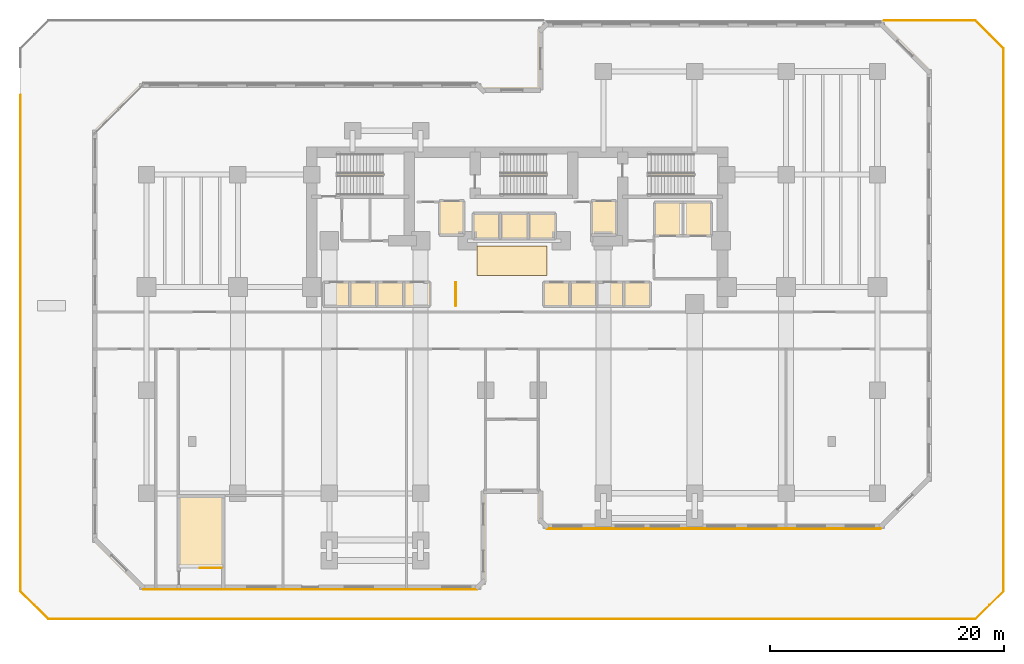
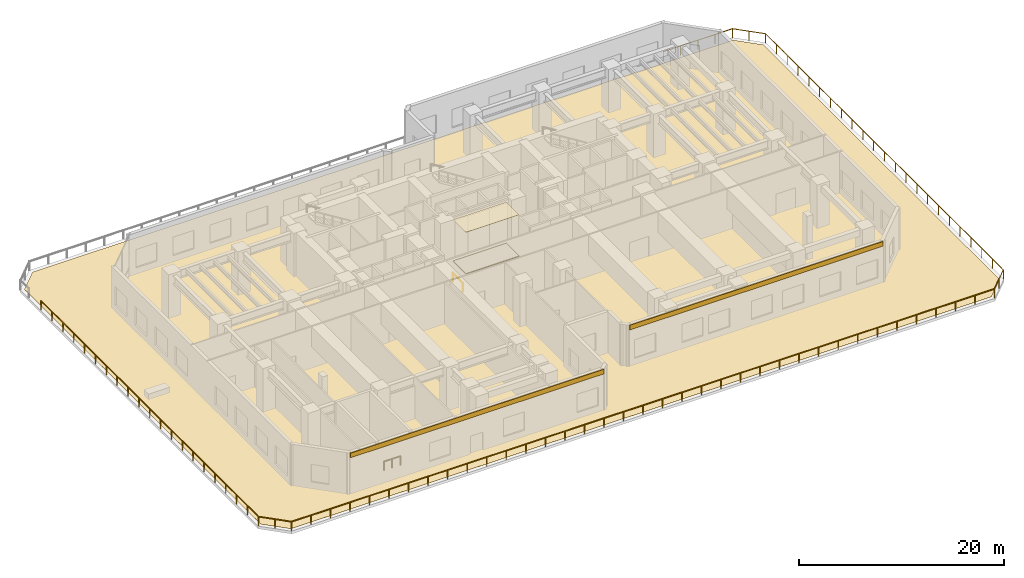
# One storey, part 9 of 13: 5 coverings, 4 railings.
"""IFC4 building model written with IfcOpenShell, lengths in metres."""

import ifcopenshell
import ifcopenshell.guid

model = None  # the IFC model being written
_history = None  # IfcOwnerHistory: only IFC2X3 demands one
_inside = {}  # id of a spatial element -> (the spatial element, [elements in it])
_under = {}  # id of a project, library or spatial element -> (it, [spatial elements below it])
_declared = {}  # id of a project -> (the project, [libraries it declares])
_typed = {}  # id of a type object -> (the type object, [elements of that type])
_made_of = {}  # id of a material, layer set ... -> (it, [elements and type objects made of it])


def new_model(schema):
    """Start an empty IFC model of exactly this schema.

    Asked for "IFC4X3", IfcOpenShell would pick the latest addendum, in which some entities
    have other attributes; the version numbers below select the first issue.
    IFC2X3 requires an IfcOwnerHistory on every rooted entity: one is made here for all.
    """
    global model, _history
    if schema == "IFC4X3":
        model = ifcopenshell.file(schema_version=(4, 3, 0, 0))
    else:
        model = ifcopenshell.file(schema=schema)
    _inside.clear()
    _under.clear()
    _declared.clear()
    _typed.clear()
    _made_of.clear()
    _history = None
    if model.schema == "IFC2X3":
        org = make("IfcOrganization", Name="unknown")
        user = make(
            "IfcPersonAndOrganization",
            ThePerson=make("IfcPerson", FamilyName="unknown"),
            TheOrganization=org,
        )
        app = make(
            "IfcApplication",
            ApplicationDeveloper=org,
            Version="unknown",
            ApplicationFullName="unknown",
            ApplicationIdentifier="unknown",
        )
        _history = make(
            "IfcOwnerHistory",
            OwningUser=user,
            OwningApplication=app,
            ChangeAction="ADDED",
            CreationDate=0,
        )
    return model


def make(cls, **values):
    """One entity of the class cls with the attributes given. An attribute that is None is left unset."""
    return model.create_entity(
        cls, **{name: value for name, value in values.items() if value is not None}
    )


def rooted(cls, **values):
    """An entity with a GlobalId (a new one), such as an element, a storey or a relation."""
    return make(cls, GlobalId=ifcopenshell.guid.new(), OwnerHistory=_history, **values)


def si_unit(unit_type, name, prefix=None):
    """IfcSIUnit, for example si_unit("LENGTHUNIT", "METRE", prefix="MILLI")."""
    return make("IfcSIUnit", UnitType=unit_type, Prefix=prefix, Name=name)


def assignment(units):
    """IfcUnitAssignment: the units of a project."""
    return None if units is None else make("IfcUnitAssignment", Units=units)


def point(xyz):
    """IfcCartesianPoint."""
    return None if xyz is None else make("IfcCartesianPoint", Coordinates=xyz)


def direction(xyz):
    """IfcDirection."""
    return None if xyz is None else make("IfcDirection", DirectionRatios=xyz)


def frame(location, z_axis=None, x_axis=None):
    """IfcAxis2Placement3D, a coordinate frame: its origin and axes. An axis left out is left unset."""
    return make(
        "IfcAxis2Placement3D",
        Location=point(location),
        Axis=direction(z_axis),
        RefDirection=direction(x_axis),
    )


def frame_2d(location, x_axis=None):
    """IfcAxis2Placement2D, a coordinate frame in the plane: its origin and x axis."""
    return make(
        "IfcAxis2Placement2D", Location=point(location), RefDirection=direction(x_axis)
    )


def origin():
    """The frame at (0, 0, 0) with its axes left unset."""
    return frame((0.0, 0.0, 0.0))


def origin_2d():
    """The frame at (0, 0) in the plane with its x axis left unset."""
    return frame_2d((0.0, 0.0))


def place(relative_to, where):
    """IfcLocalPlacement: puts the frame where relative to a parent placement (None: the world)."""
    return make(
        "IfcLocalPlacement", PlacementRelTo=relative_to, RelativePlacement=where
    )


def context(
    kind, dimensions, precision=None, world=None, true_north=None, identifier=None
):
    """IfcGeometricRepresentationContext, for example the 3D "Model" context."""
    return make(
        "IfcGeometricRepresentationContext",
        ContextIdentifier=identifier,
        ContextType=kind,
        CoordinateSpaceDimension=dimensions,
        Precision=precision,
        WorldCoordinateSystem=world,
        TrueNorth=true_north,
    )


def subcontext(parent, identifier, kind, view, scale=None):
    """IfcGeometricRepresentationSubContext, for example "Body" below "Model"."""
    return make(
        "IfcGeometricRepresentationSubContext",
        ContextIdentifier=identifier,
        ContextType=kind,
        ParentContext=parent,
        TargetScale=scale,
        TargetView=view,
    )


def project(units=None, contexts=None):
    """IfcProject with its units and contexts."""
    return rooted(
        "IfcProject",
        Name="project",
        RepresentationContexts=contexts,
        UnitsInContext=assignment(units),
    )


def spatial(cls, under=None, at=None, **own):
    """A site, building, storey or space (cls), placed at a placement, below another one or the project."""
    s = rooted(cls, ObjectPlacement=at, **own)
    if under is not None:
        _under.setdefault(under.id(), (under, []))[1].append(s)
    return s


def polyline(points):
    """IfcPolyline through the points."""
    return make("IfcPolyline", Points=[point(p) for p in points])


def profile(cls, at=None, kind="AREA", **sizes):
    """A parametric profile (cls). Its sizes go by their IFC names, for example OverallWidth=200.0."""
    return make(cls, ProfileType=kind, Position=at, **sizes)


def rectangle(**sizes):
    """IfcRectangleProfileDef."""
    return profile("IfcRectangleProfileDef", **sizes)


def circle(**sizes):
    """IfcCircleProfileDef."""
    return profile("IfcCircleProfileDef", **sizes)


def outline(outer, holes=None, kind="AREA"):
    """IfcArbitraryClosedProfileDef: a profile drawn as a closed curve; with holes, ...WithVoids."""
    if holes is None:
        return make("IfcArbitraryClosedProfileDef", ProfileType=kind, OuterCurve=outer)
    return make(
        "IfcArbitraryProfileDefWithVoids",
        ProfileType=kind,
        OuterCurve=outer,
        InnerCurves=holes,
    )


def extrude(swept, where, along, depth):
    """IfcExtrudedAreaSolid: the profile swept, set in the frame where, extruded along a direction by depth."""
    return make(
        "IfcExtrudedAreaSolid",
        SweptArea=swept,
        Position=where,
        ExtrudedDirection=direction(along),
        Depth=depth,
    )


def shape(context_of_items, identifier, shape_type, items):
    """IfcShapeRepresentation: the items that make up one representation, for example the "Body"."""
    return make(
        "IfcShapeRepresentation",
        ContextOfItems=context_of_items,
        RepresentationIdentifier=identifier,
        RepresentationType=shape_type,
        Items=items,
    )


def material(Name=None, Category=None):
    """IfcMaterial."""
    return make("IfcMaterial", Name=Name, Category=Category)


def layer(
    of_material, thickness, ventilated=None, Name=None, Category=None, Priority=None
):
    """IfcMaterialLayer: one layer of a wall or slab, of a material (None: an air gap)."""
    return make(
        "IfcMaterialLayer",
        Material=of_material,
        LayerThickness=thickness,
        IsVentilated=ventilated,
        Name=Name,
        Category=Category,
        Priority=Priority,
    )


def layer_set(layers, Name=None):
    """IfcMaterialLayerSet."""
    return make("IfcMaterialLayerSet", MaterialLayers=layers, LayerSetName=Name)


def made_of(thing, what):
    """Note that an element or type object is made of a material, layer set ...; save() writes the relation."""
    if what is not None:
        _made_of.setdefault(what.id(), (what, []))[1].append(thing)
    return thing


def type_object(cls, material=None, **own):
    """A type object (cls), such as IfcWallType, which elements share."""
    return made_of(rooted(cls, **own), material)


def element(
    cls,
    number,
    at=None,
    inside=None,
    cuts=None,
    type_object=None,
    material=None,
    context=None,
    identifier="Body",
    shape_type=None,
    held_by="IfcProductDefinitionShape",
    body=None,
    shapes=None,
    **own,
):
    """One element of the class cls, such as IfcWall. Its Tag is "e" and its number.

    at: its placement. inside: the storey or other place that contains it. cuts: it is an
    opening in that element (IfcRelVoidsElement). A single representation is given by context,
    identifier, shape_type and body (its items); several are given by shapes. held_by: the class
    of the entity that holds the representations. save() writes the other relations.
    """
    e = rooted(cls, Tag="e%d" % number, ObjectPlacement=at, **own)
    if body is not None:
        shapes = [shape(context, identifier, shape_type, body)]
    if shapes is not None:
        e.Representation = make(held_by, Representations=shapes)
    if inside is not None:
        _inside.setdefault(inside.id(), (inside, []))[1].append(e)
    if cuts is not None:
        rooted(
            "IfcRelVoidsElement", RelatingBuildingElement=cuts, RelatedOpeningElement=e
        )
    if type_object is not None:
        _typed.setdefault(type_object.id(), (type_object, []))[1].append(e)
    return made_of(e, material)


def aggregate(whole, parts):
    """IfcRelAggregates: a whole, such as a stair, and the parts it consists of."""
    return rooted("IfcRelAggregates", RelatingObject=whole, RelatedObjects=parts)


def save(model, path):
    """Write the relations noted so far, then the file.

    IfcRelAggregates (storeys below a building ...), IfcRelContainedInSpatialStructure (elements
    in a storey), IfcRelDefinesByType, IfcRelAssociatesMaterial and IfcRelDeclares: one each for
    every whole, place, type object, material and project.
    """
    for whole, parts in _under.values():
        aggregate(whole, parts)
    for where, things in _inside.values():
        rooted(
            "IfcRelContainedInSpatialStructure",
            RelatedElements=things,
            RelatingStructure=where,
        )
    for kind, things in _typed.values():
        rooted("IfcRelDefinesByType", RelatedObjects=things, RelatingType=kind)
    for what, things in _made_of.values():
        rooted("IfcRelAssociatesMaterial", RelatedObjects=things, RelatingMaterial=what)
    for by, libraries in _declared.values():
        rooted("IfcRelDeclares", RelatingContext=by, RelatedDefinitions=libraries)
    model.write(path)


model = new_model("IFC4")

# Units and contexts
model_context = context("Model", 3, precision=1e-05, world=origin(), true_north=direction((0.0, 1.0)))
body_context = subcontext(model_context, "Body", "Model", "MODEL_VIEW")
ifc_project = project(units=[si_unit("LENGTHUNIT", "METRE"), si_unit("AREAUNIT", "SQUARE_METRE"), si_unit("VOLUMEUNIT", "CUBIC_METRE"), si_unit("PLANEANGLEUNIT", "RADIAN"), si_unit("MASSUNIT", "GRAM", prefix="KILO")], contexts=[model_context])

# Site, building, storey
site_placement = place(None, origin())
site = spatial("IfcSite", under=ifc_project, at=site_placement, CompositionType="ELEMENT")
building_placement = place(site_placement, origin())
building = spatial("IfcBuilding", under=site, at=building_placement, Name="Kestravale Grand Hotel", CompositionType="ELEMENT")
storey_placement = place(building_placement, frame((0.0, 0.0, 20.800048828125)))
storey = spatial("IfcBuildingStorey", under=building, at=storey_placement, Name="L04", CompositionType="ELEMENT", Elevation=20.800048828125)

# Coverings
ifc_material_1 = material(Name="Warm limestone-toned fluted architectural precast cladding", Category="masonry")
ifc_layer_1 = layer(ifc_material_1, 0.074951171875)
ifc_layer_set_1 = layer_set([ifc_layer_1], Name="COV-CLAD-LIM")
covering_type_1 = type_object("IfcCoveringType", Name="COV-CLAD-LIM", PredefinedType="CLADDING", material=ifc_layer_set_1)
for number, where, z_axis, x_axis, name in (
    (1, (21.77490234375, 2.985107421875, 4.36474609375), (0.0, 0.0, 1.0), (1.0, 0.0, 0.0), "L04 fluted limestone spandrel cladding 1"),
    (2, (56.22509765625, 8.18505859375, 4.36474609375), (0.0, 0.0, 1.0), (1.0, 0.0, 0.0), "L04 fluted limestone spandrel cladding 7"),
):
    element("IfcCovering", number, at=place(storey_placement, frame(where, z_axis=z_axis, x_axis=x_axis)), inside=storey, type_object=covering_type_1, Name=name, PredefinedType="CLADDING", context=body_context, shape_type="SweptSolid", body=[
        extrude(rectangle(XDim=28.530029296875, YDim=0.074951171875, at=origin_2d()), origin(), (0.0, 0.0, 1.0), 0.550048828125),
    ])
ifc_material_2 = material(Name="Perforated gypsum and mineral-fibre acoustic ceiling", Category="other")
ifc_layer_2 = layer(ifc_material_2, 0.044921875)
ifc_layer_set_2 = layer_set([ifc_layer_2], Name="COV-INT-CEIL")
covering_type_2 = type_object("IfcCoveringType", Name="COV-INT-CEIL", PredefinedType="CEILING", material=ifc_layer_set_2)
covering_1_placement = place(storey_placement, frame((0.0, 0.0, 4.89501953125)))
element("IfcCovering", 3, at=covering_1_placement, inside=storey, type_object=covering_type_2, Name="L04 elevator lobby acoustic coffered ceiling", PredefinedType="CEILING", context=body_context, shape_type="SweptSolid", body=[
    extrude(outline(polyline([(36.0, 29.800048828125), (42.0, 29.800048828125), (42.0, 32.300048828125), (36.0, 32.300048828125), (36.0, 29.800048828125)])), origin(), (0.0, 0.0, 1.0), 0.044921875),
])
ifc_material_3 = material(Name="Polished Art Deco brass-inlaid terrazzo flooring", Category="masonry")
ifc_layer_3 = layer(ifc_material_3, 0.034912109375)
ifc_layer_set_3 = layer_set([ifc_layer_3], Name="COV-INT-TERZ")
covering_type_3 = type_object("IfcCoveringType", Name="COV-INT-TERZ", PredefinedType="FLOORING", material=ifc_layer_set_3)
covering_2_placement = place(storey_placement, origin())
element("IfcCovering", 4, at=covering_2_placement, inside=storey, type_object=covering_type_3, Name="L04 elevator lobby brass-inlaid terrazzo floor", PredefinedType="FLOORING", context=body_context, shape_type="SweptSolid", body=[
    extrude(outline(polyline([(36.0, 29.800048828125), (42.0, 29.800048828125), (42.0, 32.300048828125), (36.0, 32.300048828125), (36.0, 29.800048828125)])), origin(), (0.0, 0.0, 1.0), 0.034912109375),
])
ifc_material_4 = material(Name="TPO reflective roofing membrane and rigid mineral-wool insulation", Category="other")
ifc_layer_4 = layer(ifc_material_4, 0.1201171875)
ifc_layer_set_4 = layer_set([ifc_layer_4], Name="COV-ROOF-MEM")
covering_type_4 = type_object("IfcCoveringType", Name="COV-ROOF-MEM", PredefinedType="ROOFING", material=ifc_layer_set_4)
covering_3_placement = place(storey_placement, frame((0.0, 0.0, -0.0400390625)))
element("IfcCovering", 5, at=covering_3_placement, inside=storey, type_object=covering_type_4, Name="L04 terrace waterproof membrane assembly", PredefinedType="ROOFING", context=body_context, shape_type="SweptSolid", body=[
    extrude(outline(polyline([(-2.60009765625, 2.9658203125), (-2.60009765625, 49.0341796875), (-0.434326171875, 51.199951171875), (78.434326171875, 51.199951171875), (80.60009765625, 49.0341796875), (80.60009765625, 2.9658203125), (78.434326171875, 0.800048828125), (-0.434326171875, 0.800048828125), (-2.60009765625, 2.9658203125)])), origin(), (0.0, 0.0, 1.0), 0.0400390625),
])

# Railings
ifc_material_5 = material(Name="Champagne-bronze stainless steel and laminated glass guard", Category="steel")
railing_type_1 = type_object("IfcRailingType", Name="RL-EXT-1100", PredefinedType="GUARDRAIL", material=ifc_material_5)
railing_1_placement = place(storey_placement, frame((-2.93994140625, 2.824951171875, 0.0)))
element("IfcRailing", 6, at=railing_1_placement, inside=storey, type_object=railing_type_1, Name="L04 outdoor terrace guard 1", PredefinedType="GUARDRAIL", context=body_context, shape_type="SweptSolid", body=[
    extrude(circle(Radius=0.02392578125, at=origin_2d()), frame((0.0, 0.0, 1.09619140625), z_axis=(0.0, 1.0, 0.0), x_axis=(-1.0, 0.0, 0.0)), (0.0, 0.0, 1.0), 42.35498046875),
    extrude(circle(Radius=0.02099609375, at=origin_2d()), origin(), (0.0, 0.0, 1.0), 1.072021484375),
    extrude(circle(Radius=0.02099609375, at=origin_2d()), frame((0.0, 2.11767578125, 0.0)), (0.0, 0.0, 1.0), 1.072021484375),
    extrude(circle(Radius=0.02099609375, at=origin_2d()), frame((0.0, 4.235595703125, 0.0)), (0.0, 0.0, 1.0), 1.072021484375),
    extrude(circle(Radius=0.02099609375, at=origin_2d()), frame((0.0, 6.353271484375, 0.0)), (0.0, 0.0, 1.0), 1.072021484375),
    extrude(circle(Radius=0.02099609375, at=origin_2d()), frame((0.0, 8.470947265625, 0.0)), (0.0, 0.0, 1.0), 1.072021484375),
    extrude(circle(Radius=0.02099609375, at=origin_2d()), frame((0.0, 10.5888671875, 0.0)), (0.0, 0.0, 1.0), 1.072021484375),
    extrude(circle(Radius=0.02099609375, at=origin_2d()), frame((0.0, 12.70654296875, 0.0)), (0.0, 0.0, 1.0), 1.072021484375),
    extrude(circle(Radius=0.02099609375, at=origin_2d()), frame((0.0, 14.82421875, 0.0)), (0.0, 0.0, 1.0), 1.072021484375),
    extrude(circle(Radius=0.02099609375, at=origin_2d()), frame((0.0, 16.94189453125, 0.0)), (0.0, 0.0, 1.0), 1.072021484375),
    extrude(circle(Radius=0.02099609375, at=origin_2d()), frame((0.0, 19.059814453125, 0.0)), (0.0, 0.0, 1.0), 1.072021484375),
    extrude(circle(Radius=0.02099609375, at=origin_2d()), frame((0.0, 21.177490234375, 0.0)), (0.0, 0.0, 1.0), 1.072021484375),
    extrude(circle(Radius=0.02099609375, at=origin_2d()), frame((0.0, 23.295166015625, 0.0)), (0.0, 0.0, 1.0), 1.072021484375),
    extrude(circle(Radius=0.02099609375, at=origin_2d()), frame((0.0, 25.4130859375, 0.0)), (0.0, 0.0, 1.0), 1.072021484375),
    extrude(circle(Radius=0.02099609375, at=origin_2d()), frame((0.0, 27.53076171875, 0.0)), (0.0, 0.0, 1.0), 1.072021484375),
    extrude(circle(Radius=0.02099609375, at=origin_2d()), frame((0.0, 29.6484375, 0.0)), (0.0, 0.0, 1.0), 1.072021484375),
    extrude(circle(Radius=0.02099609375, at=origin_2d()), frame((0.0, 31.76611328125, 0.0)), (0.0, 0.0, 1.0), 1.072021484375),
    extrude(circle(Radius=0.02099609375, at=origin_2d()), frame((0.0, 33.884033203125, 0.0)), (0.0, 0.0, 1.0), 1.072021484375),
    extrude(circle(Radius=0.02099609375, at=origin_2d()), frame((0.0, 36.001708984375, 0.0)), (0.0, 0.0, 1.0), 1.072021484375),
    extrude(circle(Radius=0.02099609375, at=origin_2d()), frame((0.0, 38.119384765625, 0.0)), (0.0, 0.0, 1.0), 1.072021484375),
    extrude(circle(Radius=0.02099609375, at=origin_2d()), frame((0.0, 40.2373046875, 0.0)), (0.0, 0.0, 1.0), 1.072021484375),
    extrude(circle(Radius=0.02099609375, at=origin_2d()), frame((0.0, 42.35498046875, 0.0)), (0.0, 0.0, 1.0), 1.072021484375),
])
railing_2_placement = place(storey_placement, frame((70.77099609375, 51.5400390625, 0.0)))
element("IfcRailing", 7, at=railing_2_placement, inside=storey, type_object=railing_type_1, Name="L04 outdoor terrace guard 3", PredefinedType="GUARDRAIL", context=body_context, shape_type="SweptSolid", body=[
    extrude(circle(Radius=0.02392578125, at=origin_2d()), frame((0.0, 0.0, 1.09619140625), z_axis=(1.0, 0.0, 0.0), x_axis=(0.0, 1.0, 0.0)), (0.0, 0.0, 1.0), 7.80419921875),
    extrude(circle(Radius=0.02392578125, at=origin_2d()), frame((7.80419921875, 0.0, 1.09619140625), z_axis=(0.707070280643, -0.707143279846, 0.0), x_axis=(0.707143279846, 0.707070280643, 0.0)), (0.0, 0.0, 1.0), 3.344482421875),
    extrude(circle(Radius=0.02392578125, at=origin_2d()), frame((10.1689453125, -2.364990234375, 1.09619140625), z_axis=(0.0, -1.0, 0.0), x_axis=(1.0, 0.0, 0.0)), (0.0, 0.0, 1.0), 46.35009765625),
    extrude(circle(Radius=0.02392578125, at=origin_2d()), frame((10.1689453125, -48.715087890625, 1.09619140625), z_axis=(-0.707070280643, -0.707143279846, 0.0), x_axis=(0.707143279846, -0.707070280643, 0.0)), (0.0, 0.0, 1.0), 3.344482421875),
    extrude(circle(Radius=0.02392578125, at=origin_2d()), frame((7.80419921875, -51.080078125, 1.09619140625), z_axis=(-1.0, 0.0, 0.0), x_axis=(0.0, -1.0, 0.0)), (0.0, 0.0, 1.0), 79.150390625),
    extrude(circle(Radius=0.02392578125, at=origin_2d()), frame((-71.34619140625, -51.080078125, 1.09619140625), z_axis=(-0.707070280643, 0.707143279846, 0.0), x_axis=(-0.707143279846, -0.707070280643, 0.0)), (0.0, 0.0, 1.0), 3.344482421875),
    extrude(circle(Radius=0.02099609375, at=origin_2d()), origin(), (0.0, 0.0, 1.0), 1.072021484375),
    extrude(circle(Radius=0.02099609375, at=origin_2d()), frame((1.951171875, 0.0, 0.0)), (0.0, 0.0, 1.0), 1.072021484375),
    extrude(circle(Radius=0.02099609375, at=origin_2d()), frame((3.902099609375, 0.0, 0.0)), (0.0, 0.0, 1.0), 1.072021484375),
    extrude(circle(Radius=0.02099609375, at=origin_2d()), frame((5.85302734375, 0.0, 0.0)), (0.0, 0.0, 1.0), 1.072021484375),
    extrude(circle(Radius=0.02099609375, at=origin_2d()), frame((7.80419921875, 0.0, 0.0)), (0.0, 0.0, 1.0), 1.072021484375),
    extrude(circle(Radius=0.02099609375, at=origin_2d()), frame((8.986572265625, -1.1826171875, 0.0)), (0.0, 0.0, 1.0), 1.072021484375),
    extrude(circle(Radius=0.02099609375, at=origin_2d()), frame((10.1689453125, -2.364990234375, 0.0)), (0.0, 0.0, 1.0), 1.072021484375),
    extrude(circle(Radius=0.02099609375, at=origin_2d()), frame((10.1689453125, -4.471923828125, 0.0)), (0.0, 0.0, 1.0), 1.072021484375),
    extrude(circle(Radius=0.02099609375, at=origin_2d()), frame((10.1689453125, -6.57861328125, 0.0)), (0.0, 0.0, 1.0), 1.072021484375),
    extrude(circle(Radius=0.02099609375, at=origin_2d()), frame((10.1689453125, -8.685546875, 0.0)), (0.0, 0.0, 1.0), 1.072021484375),
    extrude(circle(Radius=0.02099609375, at=origin_2d()), frame((10.1689453125, -10.792236328125, 0.0)), (0.0, 0.0, 1.0), 1.072021484375),
    extrude(circle(Radius=0.02099609375, at=origin_2d()), frame((10.1689453125, -12.899169921875, 0.0)), (0.0, 0.0, 1.0), 1.072021484375),
    extrude(circle(Radius=0.02099609375, at=origin_2d()), frame((10.1689453125, -15.005859375, 0.0)), (0.0, 0.0, 1.0), 1.072021484375),
    extrude(circle(Radius=0.02099609375, at=origin_2d()), frame((10.1689453125, -17.11279296875, 0.0)), (0.0, 0.0, 1.0), 1.072021484375),
    extrude(circle(Radius=0.02099609375, at=origin_2d()), frame((10.1689453125, -19.219482421875, 0.0)), (0.0, 0.0, 1.0), 1.072021484375),
    extrude(circle(Radius=0.02099609375, at=origin_2d()), frame((10.1689453125, -21.326416015625, 0.0)), (0.0, 0.0, 1.0), 1.072021484375),
    extrude(circle(Radius=0.02099609375, at=origin_2d()), frame((10.1689453125, -23.43310546875, 0.0)), (0.0, 0.0, 1.0), 1.072021484375),
    extrude(circle(Radius=0.02099609375, at=origin_2d()), frame((10.1689453125, -25.5400390625, 0.0)), (0.0, 0.0, 1.0), 1.072021484375),
    extrude(circle(Radius=0.02099609375, at=origin_2d()), frame((10.1689453125, -27.64697265625, 0.0)), (0.0, 0.0, 1.0), 1.072021484375),
    extrude(circle(Radius=0.02099609375, at=origin_2d()), frame((10.1689453125, -29.753662109375, 0.0)), (0.0, 0.0, 1.0), 1.072021484375),
    extrude(circle(Radius=0.02099609375, at=origin_2d()), frame((10.1689453125, -31.860595703125, 0.0)), (0.0, 0.0, 1.0), 1.072021484375),
    extrude(circle(Radius=0.02099609375, at=origin_2d()), frame((10.1689453125, -33.96728515625, 0.0)), (0.0, 0.0, 1.0), 1.072021484375),
    extrude(circle(Radius=0.02099609375, at=origin_2d()), frame((10.1689453125, -36.07421875, 0.0)), (0.0, 0.0, 1.0), 1.072021484375),
    extrude(circle(Radius=0.02099609375, at=origin_2d()), frame((10.1689453125, -38.180908203125, 0.0)), (0.0, 0.0, 1.0), 1.072021484375),
    extrude(circle(Radius=0.02099609375, at=origin_2d()), frame((10.1689453125, -40.287841796875, 0.0)), (0.0, 0.0, 1.0), 1.072021484375),
    extrude(circle(Radius=0.02099609375, at=origin_2d()), frame((10.1689453125, -42.39453125, 0.0)), (0.0, 0.0, 1.0), 1.072021484375),
    extrude(circle(Radius=0.02099609375, at=origin_2d()), frame((10.1689453125, -44.50146484375, 0.0)), (0.0, 0.0, 1.0), 1.072021484375),
    extrude(circle(Radius=0.02099609375, at=origin_2d()), frame((10.1689453125, -46.608154296875, 0.0)), (0.0, 0.0, 1.0), 1.072021484375),
    extrude(circle(Radius=0.02099609375, at=origin_2d()), frame((10.1689453125, -48.715087890625, 0.0)), (0.0, 0.0, 1.0), 1.072021484375),
    extrude(circle(Radius=0.02099609375, at=origin_2d()), frame((8.986572265625, -49.8974609375, 0.0)), (0.0, 0.0, 1.0), 1.072021484375),
    extrude(circle(Radius=0.02099609375, at=origin_2d()), frame((7.80419921875, -51.080078125, 0.0)), (0.0, 0.0, 1.0), 1.072021484375),
    extrude(circle(Radius=0.02099609375, at=origin_2d()), frame((5.60546875, -51.080078125, 0.0)), (0.0, 0.0, 1.0), 1.072021484375),
    extrude(circle(Radius=0.02099609375, at=origin_2d()), frame((3.406982421875, -51.080078125, 0.0)), (0.0, 0.0, 1.0), 1.072021484375),
    extrude(circle(Radius=0.02099609375, at=origin_2d()), frame((1.208251953125, -51.080078125, 0.0)), (0.0, 0.0, 1.0), 1.072021484375),
    extrude(circle(Radius=0.02099609375, at=origin_2d()), frame((-0.990234375, -51.080078125, 0.0)), (0.0, 0.0, 1.0), 1.072021484375),
    extrude(circle(Radius=0.02099609375, at=origin_2d()), frame((-3.18896484375, -51.080078125, 0.0)), (0.0, 0.0, 1.0), 1.072021484375),
    extrude(circle(Radius=0.02099609375, at=origin_2d()), frame((-5.387451171875, -51.080078125, 0.0)), (0.0, 0.0, 1.0), 1.072021484375),
    extrude(circle(Radius=0.02099609375, at=origin_2d()), frame((-7.586181640625, -51.080078125, 0.0)), (0.0, 0.0, 1.0), 1.072021484375),
    extrude(circle(Radius=0.02099609375, at=origin_2d()), frame((-9.78466796875, -51.080078125, 0.0)), (0.0, 0.0, 1.0), 1.072021484375),
    extrude(circle(Radius=0.02099609375, at=origin_2d()), frame((-11.9833984375, -51.080078125, 0.0)), (0.0, 0.0, 1.0), 1.072021484375),
    extrude(circle(Radius=0.02099609375, at=origin_2d()), frame((-14.18212890625, -51.080078125, 0.0)), (0.0, 0.0, 1.0), 1.072021484375),
    extrude(circle(Radius=0.02099609375, at=origin_2d()), frame((-16.380615234375, -51.080078125, 0.0)), (0.0, 0.0, 1.0), 1.072021484375),
    extrude(circle(Radius=0.02099609375, at=origin_2d()), frame((-18.579345703125, -51.080078125, 0.0)), (0.0, 0.0, 1.0), 1.072021484375),
    extrude(circle(Radius=0.02099609375, at=origin_2d()), frame((-20.77783203125, -51.080078125, 0.0)), (0.0, 0.0, 1.0), 1.072021484375),
    extrude(circle(Radius=0.02099609375, at=origin_2d()), frame((-22.9765625, -51.080078125, 0.0)), (0.0, 0.0, 1.0), 1.072021484375),
    extrude(circle(Radius=0.02099609375, at=origin_2d()), frame((-25.175048828125, -51.080078125, 0.0)), (0.0, 0.0, 1.0), 1.072021484375),
    extrude(circle(Radius=0.02099609375, at=origin_2d()), frame((-27.373779296875, -51.080078125, 0.0)), (0.0, 0.0, 1.0), 1.072021484375),
    extrude(circle(Radius=0.02099609375, at=origin_2d()), frame((-29.572265625, -51.080078125, 0.0)), (0.0, 0.0, 1.0), 1.072021484375),
    extrude(circle(Radius=0.02099609375, at=origin_2d()), frame((-31.77099609375, -51.080078125, 0.0)), (0.0, 0.0, 1.0), 1.072021484375),
    extrude(circle(Radius=0.02099609375, at=origin_2d()), frame((-33.9697265625, -51.080078125, 0.0)), (0.0, 0.0, 1.0), 1.072021484375),
    extrude(circle(Radius=0.02099609375, at=origin_2d()), frame((-36.168212890625, -51.080078125, 0.0)), (0.0, 0.0, 1.0), 1.072021484375),
    extrude(circle(Radius=0.02099609375, at=origin_2d()), frame((-38.366943359375, -51.080078125, 0.0)), (0.0, 0.0, 1.0), 1.072021484375),
    extrude(circle(Radius=0.02099609375, at=origin_2d()), frame((-40.5654296875, -51.080078125, 0.0)), (0.0, 0.0, 1.0), 1.072021484375),
    extrude(circle(Radius=0.02099609375, at=origin_2d()), frame((-42.76416015625, -51.080078125, 0.0)), (0.0, 0.0, 1.0), 1.072021484375),
    extrude(circle(Radius=0.02099609375, at=origin_2d()), frame((-44.962646484375, -51.080078125, 0.0)), (0.0, 0.0, 1.0), 1.072021484375),
    extrude(circle(Radius=0.02099609375, at=origin_2d()), frame((-47.161376953125, -51.080078125, 0.0)), (0.0, 0.0, 1.0), 1.072021484375),
    extrude(circle(Radius=0.02099609375, at=origin_2d()), frame((-49.35986328125, -51.080078125, 0.0)), (0.0, 0.0, 1.0), 1.072021484375),
    extrude(circle(Radius=0.02099609375, at=origin_2d()), frame((-51.55859375, -51.080078125, 0.0)), (0.0, 0.0, 1.0), 1.072021484375),
    extrude(circle(Radius=0.02099609375, at=origin_2d()), frame((-53.75732421875, -51.080078125, 0.0)), (0.0, 0.0, 1.0), 1.072021484375),
    extrude(circle(Radius=0.02099609375, at=origin_2d()), frame((-55.955810546875, -51.080078125, 0.0)), (0.0, 0.0, 1.0), 1.072021484375),
    extrude(circle(Radius=0.02099609375, at=origin_2d()), frame((-58.154541015625, -51.080078125, 0.0)), (0.0, 0.0, 1.0), 1.072021484375),
    extrude(circle(Radius=0.02099609375, at=origin_2d()), frame((-60.35302734375, -51.080078125, 0.0)), (0.0, 0.0, 1.0), 1.072021484375),
    extrude(circle(Radius=0.02099609375, at=origin_2d()), frame((-62.5517578125, -51.080078125, 0.0)), (0.0, 0.0, 1.0), 1.072021484375),
    extrude(circle(Radius=0.02099609375, at=origin_2d()), frame((-64.750244140625, -51.080078125, 0.0)), (0.0, 0.0, 1.0), 1.072021484375),
    extrude(circle(Radius=0.02099609375, at=origin_2d()), frame((-66.948974609375, -51.080078125, 0.0)), (0.0, 0.0, 1.0), 1.072021484375),
    extrude(circle(Radius=0.02099609375, at=origin_2d()), frame((-69.1474609375, -51.080078125, 0.0)), (0.0, 0.0, 1.0), 1.072021484375),
    extrude(circle(Radius=0.02099609375, at=origin_2d()), frame((-71.34619140625, -51.080078125, 0.0)), (0.0, 0.0, 1.0), 1.072021484375),
    extrude(circle(Radius=0.02099609375, at=origin_2d()), frame((-72.528564453125, -49.8974609375, 0.0)), (0.0, 0.0, 1.0), 1.072021484375),
    extrude(circle(Radius=0.02099609375, at=origin_2d()), frame((-73.7109375, -48.715087890625, 0.0)), (0.0, 0.0, 1.0), 1.072021484375),
])
ifc_material_6 = material(Name="Art Deco fluted bronze interior gallery balustrade", Category="steel")
railing_type_2 = type_object("IfcRailingType", Name="RL-INT-BAL1100", PredefinedType="BALUSTRADE", material=ifc_material_6)
railing_3_placement = place(storey_placement, frame((34.199951171875, 27.199951171875, 0.0)))
element("IfcRailing", 8, at=railing_3_placement, inside=storey, type_object=railing_type_2, Name="L04 Art Deco bronze concourse balustrade", PredefinedType="BALUSTRADE", context=body_context, shape_type="SweptSolid", body=[
    extrude(circle(Radius=0.02392578125, at=origin_2d()), frame((0.0, 0.0, 1.076171875), z_axis=(0.0, 1.0, 0.0), x_axis=(-1.0, 0.0, 0.0)), (0.0, 0.0, 1.0), 2.0),
    extrude(circle(Radius=0.02099609375, at=origin_2d()), origin(), (0.0, 0.0, 1.0), 1.052001953125),
    extrude(circle(Radius=0.02099609375, at=origin_2d()), frame((0.0, 2.0, 0.0)), (0.0, 0.0, 1.0), 1.052001953125),
])
ifc_material_7 = material(Name="Painted tubular steel stair well guard", Category="steel")
railing_type_3 = type_object("IfcRailingType", Name="RL-ST-GRD1100", PredefinedType="GUARDRAIL", material=ifc_material_7)
railing_4_placement = place(storey_placement, frame((14.199951171875, 4.830078125, 0.0)))
element("IfcRailing", 9, at=railing_4_placement, inside=storey, type_object=railing_type_3, Name="L04 ST-4 top well guard 1", PredefinedType="GUARDRAIL", context=body_context, shape_type="SweptSolid", body=[
    extrude(circle(Radius=0.02392578125, at=origin_2d()), frame((0.0, 0.0, 1.076171875), z_axis=(-1.0, 0.0, 0.0), x_axis=(0.0, -1.0, 0.0)), (0.0, 0.0, 1.0), 1.829833984375),
    extrude(circle(Radius=0.02099609375, at=origin_2d()), origin(), (0.0, 0.0, 1.0), 1.052001953125),
    extrude(circle(Radius=0.02099609375, at=origin_2d()), frame((-0.9150390625, 0.0, 0.0)), (0.0, 0.0, 1.0), 1.052001953125),
    extrude(circle(Radius=0.02099609375, at=origin_2d()), frame((-1.829833984375, 0.0, 0.0)), (0.0, 0.0, 1.0), 1.052001953125),
])

save(model, "model.ifc")
